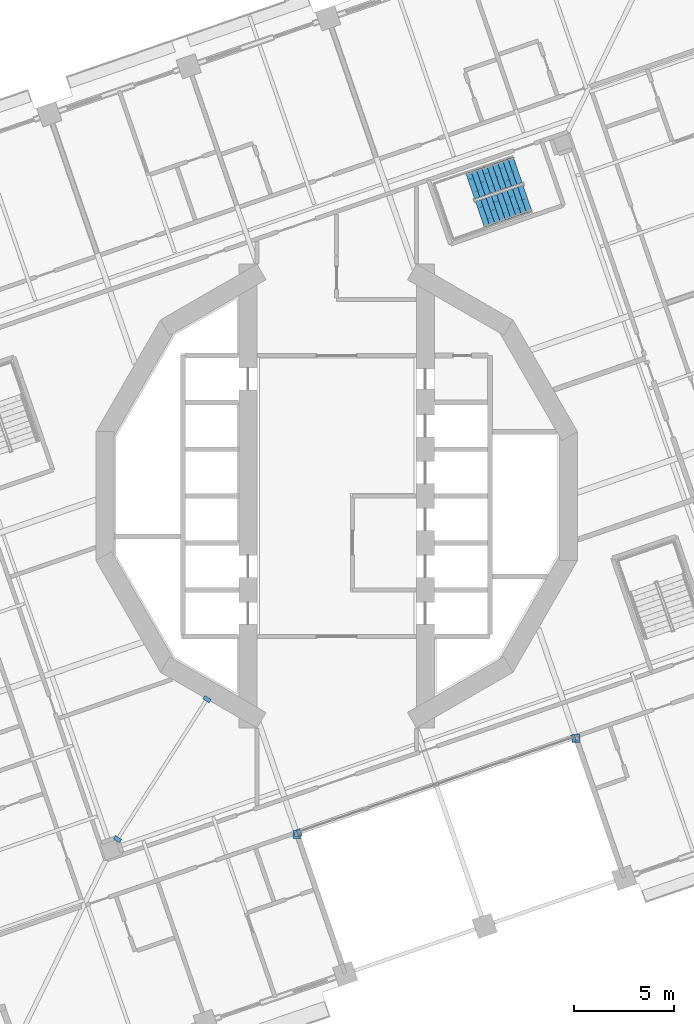
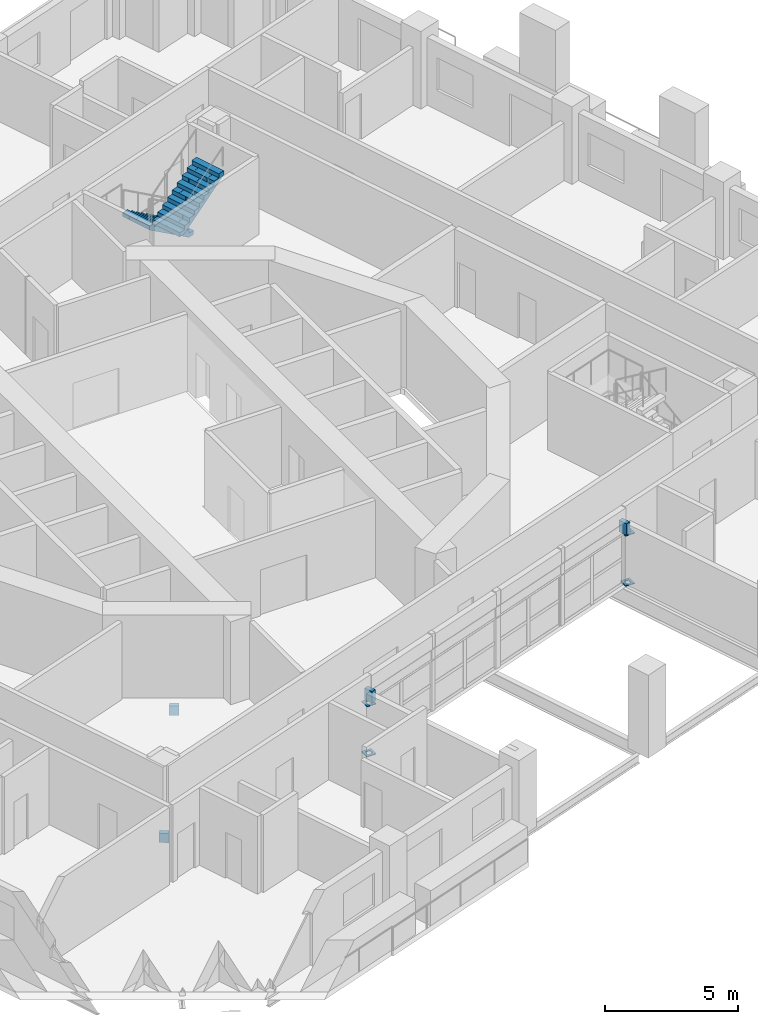
# One storey, part 15 of 22: 8 discrete accessories, 2 stair flights, 1 element without a shape of its own.
"""IFC4 building model written with IfcOpenShell, lengths in metres."""

import ifcopenshell
import ifcopenshell.guid

model = None  # the IFC model being written
_history = None  # IfcOwnerHistory: only IFC2X3 demands one
_inside = {}  # id of a spatial element -> (the spatial element, [elements in it])
_under = {}  # id of a project, library or spatial element -> (it, [spatial elements below it])
_declared = {}  # id of a project -> (the project, [libraries it declares])
_typed = {}  # id of a type object -> (the type object, [elements of that type])
_made_of = {}  # id of a material, layer set ... -> (it, [elements and type objects made of it])


def new_model(schema):
    """Start an empty IFC model of exactly this schema.

    Asked for "IFC4X3", IfcOpenShell would pick the latest addendum, in which some entities
    have other attributes; the version numbers below select the first issue.
    IFC2X3 requires an IfcOwnerHistory on every rooted entity: one is made here for all.
    """
    global model, _history
    if schema == "IFC4X3":
        model = ifcopenshell.file(schema_version=(4, 3, 0, 0))
    else:
        model = ifcopenshell.file(schema=schema)
    _inside.clear()
    _under.clear()
    _declared.clear()
    _typed.clear()
    _made_of.clear()
    _history = None
    if model.schema == "IFC2X3":
        org = make("IfcOrganization", Name="unknown")
        user = make(
            "IfcPersonAndOrganization",
            ThePerson=make("IfcPerson", FamilyName="unknown"),
            TheOrganization=org,
        )
        app = make(
            "IfcApplication",
            ApplicationDeveloper=org,
            Version="unknown",
            ApplicationFullName="unknown",
            ApplicationIdentifier="unknown",
        )
        _history = make(
            "IfcOwnerHistory",
            OwningUser=user,
            OwningApplication=app,
            ChangeAction="ADDED",
            CreationDate=0,
        )
    return model


def make(cls, **values):
    """One entity of the class cls with the attributes given. An attribute that is None is left unset."""
    return model.create_entity(
        cls, **{name: value for name, value in values.items() if value is not None}
    )


def rooted(cls, **values):
    """An entity with a GlobalId (a new one), such as an element, a storey or a relation."""
    return make(cls, GlobalId=ifcopenshell.guid.new(), OwnerHistory=_history, **values)


def si_unit(unit_type, name, prefix=None):
    """IfcSIUnit, for example si_unit("LENGTHUNIT", "METRE", prefix="MILLI")."""
    return make("IfcSIUnit", UnitType=unit_type, Prefix=prefix, Name=name)


def assignment(units):
    """IfcUnitAssignment: the units of a project."""
    return None if units is None else make("IfcUnitAssignment", Units=units)


def point(xyz):
    """IfcCartesianPoint."""
    return None if xyz is None else make("IfcCartesianPoint", Coordinates=xyz)


def direction(xyz):
    """IfcDirection."""
    return None if xyz is None else make("IfcDirection", DirectionRatios=xyz)


def frame(location, z_axis=None, x_axis=None):
    """IfcAxis2Placement3D, a coordinate frame: its origin and axes. An axis left out is left unset."""
    return make(
        "IfcAxis2Placement3D",
        Location=point(location),
        Axis=direction(z_axis),
        RefDirection=direction(x_axis),
    )


def origin():
    """The frame at (0, 0, 0) with its axes left unset."""
    return frame((0.0, 0.0, 0.0))


def place(relative_to, where):
    """IfcLocalPlacement: puts the frame where relative to a parent placement (None: the world)."""
    return make(
        "IfcLocalPlacement", PlacementRelTo=relative_to, RelativePlacement=where
    )


def context(
    kind, dimensions, precision=None, world=None, true_north=None, identifier=None
):
    """IfcGeometricRepresentationContext, for example the 3D "Model" context."""
    return make(
        "IfcGeometricRepresentationContext",
        ContextIdentifier=identifier,
        ContextType=kind,
        CoordinateSpaceDimension=dimensions,
        Precision=precision,
        WorldCoordinateSystem=world,
        TrueNorth=true_north,
    )


def subcontext(parent, identifier, kind, view, scale=None):
    """IfcGeometricRepresentationSubContext, for example "Body" below "Model"."""
    return make(
        "IfcGeometricRepresentationSubContext",
        ContextIdentifier=identifier,
        ContextType=kind,
        ParentContext=parent,
        TargetScale=scale,
        TargetView=view,
    )


def project(units=None, contexts=None):
    """IfcProject with its units and contexts."""
    return rooted(
        "IfcProject",
        Name="project",
        RepresentationContexts=contexts,
        UnitsInContext=assignment(units),
    )


def spatial(cls, under=None, at=None, **own):
    """A site, building, storey or space (cls), placed at a placement, below another one or the project."""
    s = rooted(cls, ObjectPlacement=at, **own)
    if under is not None:
        _under.setdefault(under.id(), (under, []))[1].append(s)
    return s


def polyline(points):
    """IfcPolyline through the points."""
    return make("IfcPolyline", Points=[point(p) for p in points])


def outline(outer, holes=None, kind="AREA"):
    """IfcArbitraryClosedProfileDef: a profile drawn as a closed curve; with holes, ...WithVoids."""
    if holes is None:
        return make("IfcArbitraryClosedProfileDef", ProfileType=kind, OuterCurve=outer)
    return make(
        "IfcArbitraryProfileDefWithVoids",
        ProfileType=kind,
        OuterCurve=outer,
        InnerCurves=holes,
    )


def extrude(swept, where, along, depth):
    """IfcExtrudedAreaSolid: the profile swept, set in the frame where, extruded along a direction by depth."""
    return make(
        "IfcExtrudedAreaSolid",
        SweptArea=swept,
        Position=where,
        ExtrudedDirection=direction(along),
        Depth=depth,
    )


def shape(context_of_items, identifier, shape_type, items):
    """IfcShapeRepresentation: the items that make up one representation, for example the "Body"."""
    return make(
        "IfcShapeRepresentation",
        ContextOfItems=context_of_items,
        RepresentationIdentifier=identifier,
        RepresentationType=shape_type,
        Items=items,
    )


def material(Name=None, Category=None):
    """IfcMaterial."""
    return make("IfcMaterial", Name=Name, Category=Category)


def layer(
    of_material, thickness, ventilated=None, Name=None, Category=None, Priority=None
):
    """IfcMaterialLayer: one layer of a wall or slab, of a material (None: an air gap)."""
    return make(
        "IfcMaterialLayer",
        Material=of_material,
        LayerThickness=thickness,
        IsVentilated=ventilated,
        Name=Name,
        Category=Category,
        Priority=Priority,
    )


def layer_set(layers, Name=None):
    """IfcMaterialLayerSet."""
    return make("IfcMaterialLayerSet", MaterialLayers=layers, LayerSetName=Name)


def made_of(thing, what):
    """Note that an element or type object is made of a material, layer set ...; save() writes the relation."""
    if what is not None:
        _made_of.setdefault(what.id(), (what, []))[1].append(thing)
    return thing


def type_object(cls, material=None, **own):
    """A type object (cls), such as IfcWallType, which elements share."""
    return made_of(rooted(cls, **own), material)


def element(
    cls,
    number,
    at=None,
    inside=None,
    cuts=None,
    type_object=None,
    material=None,
    context=None,
    identifier="Body",
    shape_type=None,
    held_by="IfcProductDefinitionShape",
    body=None,
    shapes=None,
    **own,
):
    """One element of the class cls, such as IfcWall. Its Tag is "e" and its number.

    at: its placement. inside: the storey or other place that contains it. cuts: it is an
    opening in that element (IfcRelVoidsElement). A single representation is given by context,
    identifier, shape_type and body (its items); several are given by shapes. held_by: the class
    of the entity that holds the representations. save() writes the other relations.
    """
    e = rooted(cls, Tag="e%d" % number, ObjectPlacement=at, **own)
    if body is not None:
        shapes = [shape(context, identifier, shape_type, body)]
    if shapes is not None:
        e.Representation = make(held_by, Representations=shapes)
    if inside is not None:
        _inside.setdefault(inside.id(), (inside, []))[1].append(e)
    if cuts is not None:
        rooted(
            "IfcRelVoidsElement", RelatingBuildingElement=cuts, RelatedOpeningElement=e
        )
    if type_object is not None:
        _typed.setdefault(type_object.id(), (type_object, []))[1].append(e)
    return made_of(e, material)


def aggregate(whole, parts):
    """IfcRelAggregates: a whole, such as a stair, and the parts it consists of."""
    return rooted("IfcRelAggregates", RelatingObject=whole, RelatedObjects=parts)


def save(model, path):
    """Write the relations noted so far, then the file.

    IfcRelAggregates (storeys below a building ...), IfcRelContainedInSpatialStructure (elements
    in a storey), IfcRelDefinesByType, IfcRelAssociatesMaterial and IfcRelDeclares: one each for
    every whole, place, type object, material and project.
    """
    for whole, parts in _under.values():
        aggregate(whole, parts)
    for where, things in _inside.values():
        rooted(
            "IfcRelContainedInSpatialStructure",
            RelatedElements=things,
            RelatingStructure=where,
        )
    for kind, things in _typed.values():
        rooted("IfcRelDefinesByType", RelatedObjects=things, RelatingType=kind)
    for what, things in _made_of.values():
        rooted("IfcRelAssociatesMaterial", RelatedObjects=things, RelatingMaterial=what)
    for by, libraries in _declared.values():
        rooted("IfcRelDeclares", RelatingContext=by, RelatedDefinitions=libraries)
    model.write(path)


model = new_model("IFC4")

# Units and contexts
model_context = context("Model", 3, precision=1e-05, world=origin(), true_north=direction((0.0, 1.0)))
body_context = subcontext(model_context, "Body", "Model", "MODEL_VIEW")
ifc_project = project(units=[si_unit("LENGTHUNIT", "METRE"), si_unit("AREAUNIT", "SQUARE_METRE"), si_unit("VOLUMEUNIT", "CUBIC_METRE"), si_unit("PLANEANGLEUNIT", "RADIAN"), si_unit("MASSUNIT", "GRAM", prefix="KILO")], contexts=[model_context])

# Site, building, storey
site_placement = place(None, origin())
site = spatial("IfcSite", under=ifc_project, at=site_placement, CompositionType="ELEMENT")
building_placement = place(site_placement, origin())
building = spatial("IfcBuilding", under=site, at=building_placement, Name="Cantera Rosa Tower", CompositionType="ELEMENT")
storey_placement = place(building_placement, frame((0.0, 0.0, 107.89990234375)))
storey = spatial("IfcBuildingStorey", under=building, at=storey_placement, Name="L21", CompositionType="ELEMENT", Elevation=107.89990234375)

# Stair, stair flights
ifc_material_1 = material(Name="Concrete C35/45", Category="concrete")
stair_type = type_object("IfcStairType", Name="EXIT STAIR 1350 DOGLEG", PredefinedType="HALF_TURN_STAIR", material=ifc_material_1)
stair_placement = place(storey_placement, origin())
stair = element("IfcStair", 1, at=stair_placement, inside=storey, type_object=stair_type, Name="L21 ST-21", PredefinedType="HALF_TURN_STAIR")
ifc_material_2 = material(Name="Concrete C35/45", Category="concrete")
stair_flight_type = type_object("IfcStairFlightType", Name="STAIR FLIGHT 1350 R20x190", PredefinedType="STRAIGHT", material=ifc_material_2)
stair_flight_1_placement = place(storey_placement, frame((9.07958984375, 16.364990234375, 0.0), z_axis=(0.0, 0.0, 1.0), x_axis=(-0.945518575599, -0.325568154457, 0.0)))
stair_flight_1 = element("IfcStairFlight", 2, at=stair_flight_1_placement, type_object=stair_flight_type, Name="ST-21 flight 1", NumberOfRisers=10, NumberOfTreads=9, PredefinedType="STRAIGHT", RiserHeight=0.19, TreadLength=0.28, context=body_context, shape_type="SweptSolid", body=[
    extrude(outline(polyline([(0.0, 0.0), (0.0, 0.18994140625), (0.280029296875, 0.18994140625), (0.280029296875, 0.3798828125), (0.56005859375, 0.3798828125), (0.56005859375, 0.570068359375), (0.840087890625, 0.570068359375), (0.840087890625, 0.760009765625), (1.1201171875, 0.760009765625), (1.1201171875, 0.949951171875), (1.39990234375, 0.949951171875), (1.39990234375, 1.139892578125), (1.679931640625, 1.139892578125), (1.679931640625, 1.330078125), (1.9599609375, 1.330078125), (1.9599609375, 1.52001953125), (2.239990234375, 1.52001953125), (2.239990234375, 1.7099609375), (2.52001953125, 1.7099609375), (2.52001953125, 1.89990234375), (2.52001953125, 1.52880859375), (0.266845703125, 0.0), (0.0, 0.0)])), frame((0.0, 0.675048828125, 0.0), z_axis=(0.0, -1.0, 0.0), x_axis=(1.0, 0.0, 0.0)), (0.0, 0.0, 1.0), 0.3359375),
    extrude(outline(polyline([(0.0, 0.0), (0.0, 0.18994140625), (0.280029296875, 0.18994140625), (0.280029296875, 0.3798828125), (0.56005859375, 0.3798828125), (0.56005859375, 0.570068359375), (0.840087890625, 0.570068359375), (0.840087890625, 0.760009765625), (1.1201171875, 0.760009765625), (1.1201171875, 0.949951171875), (1.39990234375, 0.949951171875), (1.39990234375, 1.139892578125), (1.679931640625, 1.139892578125), (1.679931640625, 1.330078125), (1.9599609375, 1.330078125), (1.9599609375, 1.52001953125), (2.239990234375, 1.52001953125), (2.239990234375, 1.7099609375), (2.52001953125, 1.7099609375), (2.52001953125, 1.89990234375), (2.52001953125, 1.52880859375), (0.266845703125, 0.0), (0.0, 0.0)])), frame((0.0, 0.337158203125, 0.0), z_axis=(0.0, -1.0, 0.0), x_axis=(1.0, 0.0, 0.0)), (0.0, 0.0, 1.0), 0.3359375),
    extrude(outline(polyline([(0.0, 0.0), (0.0, 0.18994140625), (0.280029296875, 0.18994140625), (0.280029296875, 0.3798828125), (0.56005859375, 0.3798828125), (0.56005859375, 0.570068359375), (0.840087890625, 0.570068359375), (0.840087890625, 0.760009765625), (1.1201171875, 0.760009765625), (1.1201171875, 0.949951171875), (1.39990234375, 0.949951171875), (1.39990234375, 1.139892578125), (1.679931640625, 1.139892578125), (1.679931640625, 1.330078125), (1.9599609375, 1.330078125), (1.9599609375, 1.52001953125), (2.239990234375, 1.52001953125), (2.239990234375, 1.7099609375), (2.52001953125, 1.7099609375), (2.52001953125, 1.89990234375), (2.52001953125, 1.52880859375), (0.266845703125, 0.0), (0.0, 0.0)])), frame((0.0, -0.000732421875, 0.0), z_axis=(0.0, -1.0, 0.0), x_axis=(1.0, 0.0, 0.0)), (0.0, 0.0, 1.0), 0.3359375),
    extrude(outline(polyline([(0.0, 0.0), (0.0, 0.18994140625), (0.280029296875, 0.18994140625), (0.280029296875, 0.3798828125), (0.56005859375, 0.3798828125), (0.56005859375, 0.570068359375), (0.840087890625, 0.570068359375), (0.840087890625, 0.760009765625), (1.1201171875, 0.760009765625), (1.1201171875, 0.949951171875), (1.39990234375, 0.949951171875), (1.39990234375, 1.139892578125), (1.679931640625, 1.139892578125), (1.679931640625, 1.330078125), (1.9599609375, 1.330078125), (1.9599609375, 1.52001953125), (2.239990234375, 1.52001953125), (2.239990234375, 1.7099609375), (2.52001953125, 1.7099609375), (2.52001953125, 1.89990234375), (2.52001953125, 1.52880859375), (0.266845703125, 0.0), (0.0, 0.0)])), frame((0.0, -0.338623046875, 0.0), z_axis=(0.0, -1.0, 0.0), x_axis=(1.0, 0.0, 0.0)), (0.0, 0.0, 1.0), 0.3359375),
])
stair_flight_2_placement = place(storey_placement, frame((7.185302734375, 14.126220703125, 1.900146484375), z_axis=(0.0, 0.0, 1.0), x_axis=(0.945518575599, 0.325568154457, 0.0)))
stair_flight_2 = element("IfcStairFlight", 3, at=stair_flight_2_placement, type_object=stair_flight_type, Name="ST-21 flight 2", NumberOfRisers=10, NumberOfTreads=9, PredefinedType="STRAIGHT", RiserHeight=0.19, TreadLength=0.28, context=body_context, shape_type="SweptSolid", body=[
    extrude(outline(polyline([(0.0, 0.0), (0.0, 0.18994140625), (0.280029296875, 0.18994140625), (0.280029296875, 0.3798828125), (0.56005859375, 0.3798828125), (0.56005859375, 0.570068359375), (0.840087890625, 0.570068359375), (0.840087890625, 0.760009765625), (1.1201171875, 0.760009765625), (1.1201171875, 0.949951171875), (1.39990234375, 0.949951171875), (1.39990234375, 1.139892578125), (1.679931640625, 1.139892578125), (1.679931640625, 1.330078125), (1.9599609375, 1.330078125), (1.9599609375, 1.52001953125), (2.239990234375, 1.52001953125), (2.239990234375, 1.7099609375), (2.52001953125, 1.7099609375), (2.52001953125, 1.89990234375), (2.52001953125, 1.52880859375), (0.266845703125, 0.0), (0.0, 0.0)])), frame((0.0, 0.675048828125, 0.0), z_axis=(0.0, -1.0, 0.0), x_axis=(1.0, 0.0, 0.0)), (0.0, 0.0, 1.0), 0.3359375),
    extrude(outline(polyline([(0.0, 0.0), (0.0, 0.18994140625), (0.280029296875, 0.18994140625), (0.280029296875, 0.3798828125), (0.56005859375, 0.3798828125), (0.56005859375, 0.570068359375), (0.840087890625, 0.570068359375), (0.840087890625, 0.760009765625), (1.1201171875, 0.760009765625), (1.1201171875, 0.949951171875), (1.39990234375, 0.949951171875), (1.39990234375, 1.139892578125), (1.679931640625, 1.139892578125), (1.679931640625, 1.330078125), (1.9599609375, 1.330078125), (1.9599609375, 1.52001953125), (2.239990234375, 1.52001953125), (2.239990234375, 1.7099609375), (2.52001953125, 1.7099609375), (2.52001953125, 1.89990234375), (2.52001953125, 1.52880859375), (0.266845703125, 0.0), (0.0, 0.0)])), frame((0.0, 0.337158203125, 0.0), z_axis=(0.0, -1.0, 0.0), x_axis=(1.0, 0.0, 0.0)), (0.0, 0.0, 1.0), 0.3359375),
    extrude(outline(polyline([(0.0, 0.0), (0.0, 0.18994140625), (0.280029296875, 0.18994140625), (0.280029296875, 0.3798828125), (0.56005859375, 0.3798828125), (0.56005859375, 0.570068359375), (0.840087890625, 0.570068359375), (0.840087890625, 0.760009765625), (1.1201171875, 0.760009765625), (1.1201171875, 0.949951171875), (1.39990234375, 0.949951171875), (1.39990234375, 1.139892578125), (1.679931640625, 1.139892578125), (1.679931640625, 1.330078125), (1.9599609375, 1.330078125), (1.9599609375, 1.52001953125), (2.239990234375, 1.52001953125), (2.239990234375, 1.7099609375), (2.52001953125, 1.7099609375), (2.52001953125, 1.89990234375), (2.52001953125, 1.52880859375), (0.266845703125, 0.0), (0.0, 0.0)])), frame((0.0, -0.000732421875, 0.0), z_axis=(0.0, -1.0, 0.0), x_axis=(1.0, 0.0, 0.0)), (0.0, 0.0, 1.0), 0.3359375),
    extrude(outline(polyline([(0.0, 0.0), (0.0, 0.18994140625), (0.280029296875, 0.18994140625), (0.280029296875, 0.3798828125), (0.56005859375, 0.3798828125), (0.56005859375, 0.570068359375), (0.840087890625, 0.570068359375), (0.840087890625, 0.760009765625), (1.1201171875, 0.760009765625), (1.1201171875, 0.949951171875), (1.39990234375, 0.949951171875), (1.39990234375, 1.139892578125), (1.679931640625, 1.139892578125), (1.679931640625, 1.330078125), (1.9599609375, 1.330078125), (1.9599609375, 1.52001953125), (2.239990234375, 1.52001953125), (2.239990234375, 1.7099609375), (2.52001953125, 1.7099609375), (2.52001953125, 1.89990234375), (2.52001953125, 1.52880859375), (0.266845703125, 0.0), (0.0, 0.0)])), frame((0.0, -0.338623046875, 0.0), z_axis=(0.0, -1.0, 0.0), x_axis=(1.0, 0.0, 0.0)), (0.0, 0.0, 1.0), 0.3359375),
])
aggregate(stair, [stair_flight_1, stair_flight_2])

# Discrete accessories
ifc_material_3 = material(Name="Steel ASTM A992 (Fy 345 MPa)", Category="steel")
ifc_layer = layer(ifc_material_3, 0.0400390625)
ifc_layer_set = layer_set([ifc_layer], Name="STEEL BEARING PLATE 40")
discrete_accessory_type = type_object("IfcDiscreteAccessoryType", Name="STEEL BEARING PLATE 40", PredefinedType="ANCHORPLATE", material=ifc_layer_set)
discrete_accessory_1_placement = place(storey_placement, frame((0.0, 0.0, -0.727783203125)))
element("IfcDiscreteAccessory", 4, at=discrete_accessory_1_placement, inside=storey, type_object=discrete_accessory_type, Name="BEARING PLATE PG-Z2-01 end 1 L21", PredefinedType="ANCHORPLATE", context=body_context, shape_type="SweptSolid", body=[
    extrude(outline(polyline([(-11.09619140625, -17.02783203125), (-11.203857421875, -17.1962890625), (-10.8955078125, -17.393310546875), (-10.787841796875, -17.224853515625), (-11.09619140625, -17.02783203125)])), origin(), (0.0, 0.0, 1.0), 0.427978515625),
])
discrete_accessory_2_placement = place(storey_placement, frame((0.0, 0.0, -0.727783203125)))
element("IfcDiscreteAccessory", 5, at=discrete_accessory_2_placement, inside=storey, type_object=discrete_accessory_type, Name="BEARING PLATE PG-Z2-01 end 2 L21", PredefinedType="ANCHORPLATE", context=body_context, shape_type="SweptSolid", body=[
    extrude(outline(polyline([(-6.40673828125, -10.367919921875), (-6.29931640625, -10.19921875), (-6.607666015625, -10.002197265625), (-6.71533203125, -10.170654296875), (-6.40673828125, -10.367919921875)])), origin(), (0.0, 0.0, 1.0), 0.427978515625),
])
for number, where, name in (
    (6, (0.0, 0.0, 0.0), "POST PLATE L21-1F"),
    (7, (0.0, 0.0, 2.300048828125), "POST PLATE L21-1T"),
):
    element("IfcDiscreteAccessory", number, at=place(storey_placement, frame(where)), inside=storey, type_object=discrete_accessory_type, Name=name, PredefinedType="ANCHORPLATE", context=body_context, shape_type="SweptSolid", body=[
        extrude(outline(polyline([(-2.18310546875, -17.170166015625), (-1.783203125, -17.170166015625), (-1.783203125, -16.770263671875), (-2.18310546875, -16.770263671875), (-2.18310546875, -17.170166015625)]), holes=[polyline([(-2.0830078125, -17.0703125), (-1.883056640625, -17.0703125), (-1.883056640625, -16.8701171875), (-2.0830078125, -16.8701171875), (-2.0830078125, -17.0703125)])]), origin(), (0.0, 0.0, 1.0), 0.0400390625),
    ])
for number, where, name in (
    (8, (0.0, 0.0, 0.0), "POST PLATE L21-2F"),
    (9, (0.0, 0.0, 2.300048828125), "POST PLATE L21-2T"),
):
    element("IfcDiscreteAccessory", number, at=place(storey_placement, frame(where)), inside=storey, type_object=discrete_accessory_type, Name=name, PredefinedType="ANCHORPLATE", context=body_context, shape_type="SweptSolid", body=[
        extrude(outline(polyline([(11.810546875, -12.351806640625), (12.210693359375, -12.351806640625), (12.210693359375, -11.951904296875), (11.810546875, -11.951904296875), (11.810546875, -12.351806640625)]), holes=[polyline([(11.91064453125, -12.251708984375), (12.110595703125, -12.251708984375), (12.110595703125, -12.0517578125), (11.91064453125, -12.0517578125), (11.91064453125, -12.251708984375)])]), origin(), (0.0, 0.0, 1.0), 0.0400390625),
    ])
discrete_accessory_3_placement = place(storey_placement, frame((0.0, 0.0, 2.340087890625)))
element("IfcDiscreteAccessory", 10, at=discrete_accessory_3_placement, inside=storey, type_object=discrete_accessory_type, Name="LINTEL PLATE L21-1", PredefinedType="ANCHORPLATE", context=body_context, shape_type="SweptSolid", body=[
    extrude(outline(polyline([(-1.84619140625, -16.676513671875), (-2.035400390625, -16.74169921875), (-1.916015625, -17.087890625), (-1.72705078125, -17.022705078125), (-1.84619140625, -16.676513671875)])), origin(), (0.0, 0.0, 1.0), 0.528076171875),
])
discrete_accessory_4_placement = place(storey_placement, frame((0.0, 0.0, 2.340087890625)))
element("IfcDiscreteAccessory", 11, at=discrete_accessory_4_placement, inside=storey, type_object=discrete_accessory_type, Name="LINTEL PLATE L21-2", PredefinedType="ANCHORPLATE", context=body_context, shape_type="SweptSolid", body=[
    extrude(outline(polyline([(11.841064453125, -12.350830078125), (12.0302734375, -12.28564453125), (11.9111328125, -11.939697265625), (11.721923828125, -12.004638671875), (11.841064453125, -12.350830078125)])), origin(), (0.0, 0.0, 1.0), 0.528076171875),
])

save(model, "model.ifc")
